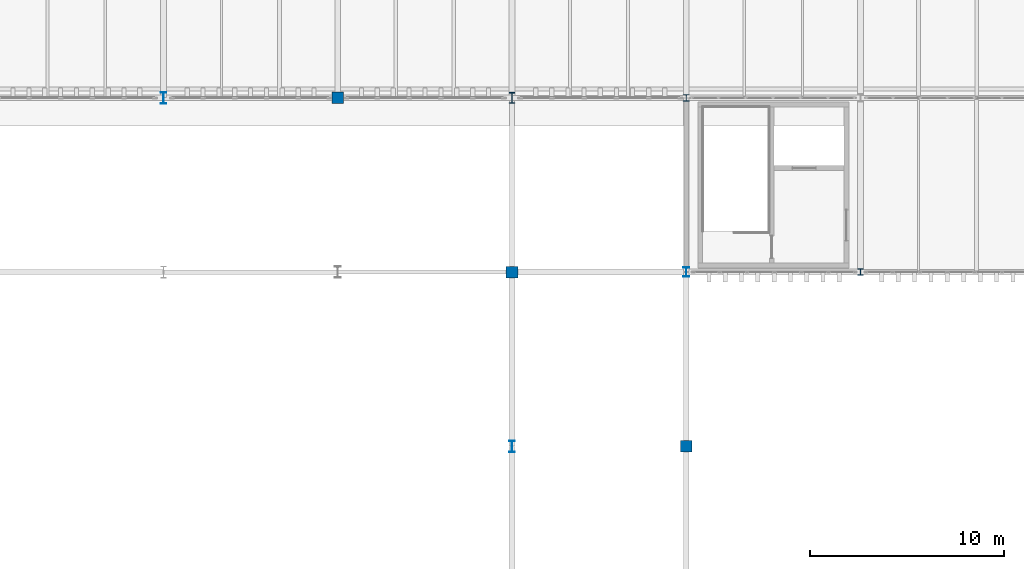
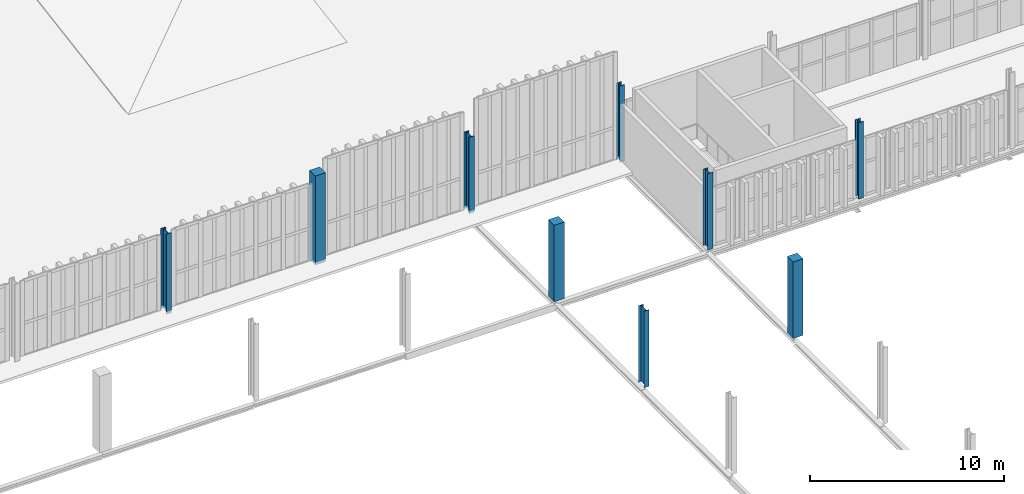
# One storey, part 4 of 196: 9 columns.
"""IFC4 building model written with IfcOpenShell, lengths in metres."""

from ifc_helpers import new_model, si_unit, direction, frame, origin, origin_2d, place, context, subcontext, project, spatial, rectangle, i_section, extrude, material, material_profile, profile_set, type_object, element, save


model = new_model("IFC4")

# Units and contexts
model_context = context("Model", 3, precision=1e-05, world=origin(), true_north=direction((0.0, 1.0)))
body_context = subcontext(model_context, "Body", "Model", "MODEL_VIEW")
ifc_project = project(units=[si_unit("LENGTHUNIT", "METRE"), si_unit("AREAUNIT", "SQUARE_METRE"), si_unit("VOLUMEUNIT", "CUBIC_METRE"), si_unit("PLANEANGLEUNIT", "RADIAN"), si_unit("MASSUNIT", "GRAM", prefix="KILO")], contexts=[model_context])

# Site, building, storey
site_placement = place(None, origin())
site = spatial("IfcSite", under=ifc_project, at=site_placement, CompositionType="ELEMENT")
building_placement = place(site_placement, origin())
building = spatial("IfcBuilding", under=site, at=building_placement, Name="Barlavento Convention Centre", CompositionType="ELEMENT")
storey_placement = place(building_placement, frame((0.0, 0.0, 18.0)))
storey = spatial("IfcBuildingStorey", under=building, at=storey_placement, Name="L03", CompositionType="ELEMENT", Elevation=18.0)

# Columns
ifc_material_1 = material(Name="Steel S355", Category="steel")
ifc_material_profile_1 = material_profile(ifc_material_1, i_section(OverallWidth=0.300048828125, OverallDepth=0.340087890625, WebThickness=0.011962890625, FlangeThickness=0.021484375, FilletRadius=0.027099609375, at=origin_2d()), Name="HEB 340")
ifc_profile_set_1 = profile_set([ifc_material_profile_1], Name="Steel S355")
column_type_1 = type_object("IfcColumnType", Name="STR-COL-HEB340", PredefinedType="COLUMN", material=ifc_profile_set_1)
for number, where, z_axis, x_axis, name in (
    (1, (63.0, 54.0, 0.0), (0.0, 0.0, 1.0), (1.0, 0.0, 0.0), "L03 column SC12"),
    (2, (72.0, 45.0, 0.0), (0.0, 0.0, 1.0), (1.0, 0.0, 0.0), "L03 column SC12"),
):
    element("IfcColumn", number, at=place(storey_placement, frame(where, z_axis=z_axis, x_axis=x_axis)), inside=storey, type_object=column_type_1, Name=name, PredefinedType="COLUMN", context=body_context, shape_type="SweptSolid", body=[
        extrude(i_section(OverallWidth=0.300048828125, OverallDepth=0.340087890625, WebThickness=0.011962890625, FlangeThickness=0.021484375, FilletRadius=0.027099609375, at=origin_2d()), origin(), (0.0, 0.0, 1.0), 4.800048828125),
    ])
ifc_material_profile_2 = material_profile(ifc_material_1, i_section(OverallWidth=0.300048828125, OverallDepth=0.5, WebThickness=0.014404296875, FlangeThickness=0.028076171875, FilletRadius=0.027099609375, at=origin_2d()), Name="HEB 500")
ifc_profile_set_2 = profile_set([ifc_material_profile_2], Name="Steel S355")
column_type_2 = type_object("IfcColumnType", Name="STR-COL-HEB500", PredefinedType="COLUMN", material=ifc_profile_set_2)
column_1_placement = place(storey_placement, frame((63.0, 45.0, 0.0), z_axis=(0.0, 0.0, 1.0), x_axis=(1.0, 0.0, 0.0)))
element("IfcColumn", 3, at=column_1_placement, inside=storey, type_object=column_type_2, Name="L03 column SC09", PredefinedType="COLUMN", context=body_context, shape_type="SweptSolid", body=[
    extrude(i_section(OverallWidth=0.300048828125, OverallDepth=0.5, WebThickness=0.014404296875, FlangeThickness=0.028076171875, FilletRadius=0.027099609375, at=origin_2d()), origin(), (0.0, 0.0, 1.0), 4.800048828125),
])
ifc_material_profile_3 = material_profile(ifc_material_1, i_section(OverallWidth=0.300048828125, OverallDepth=0.60009765625, WebThickness=0.015380859375, FlangeThickness=0.030029296875, FilletRadius=0.027099609375, at=origin_2d()), Name="HEB 600")
ifc_profile_set_3 = profile_set([ifc_material_profile_3], Name="Steel S355")
column_type_3 = type_object("IfcColumnType", Name="STR-COL-HEB600", PredefinedType="COLUMN", material=ifc_profile_set_3)
column_2_placement = place(storey_placement, frame((36.0, 54.0, 0.0), z_axis=(0.0, 0.0, 1.0), x_axis=(1.0, 0.0, 0.0)))
element("IfcColumn", 4, at=column_2_placement, inside=storey, type_object=column_type_3, Name="L03 Congress hall column SC08", PredefinedType="COLUMN", context=body_context, shape_type="SweptSolid", body=[
    extrude(i_section(OverallWidth=0.300048828125, OverallDepth=0.60009765625, WebThickness=0.015380859375, FlangeThickness=0.030029296875, FilletRadius=0.027099609375, at=origin_2d()), origin(), (0.0, 0.0, 1.0), 5.0390625),
])
column_3_placement = place(storey_placement, frame((54.0, 36.0, 0.0), z_axis=(0.0, 0.0, 1.0), x_axis=(1.0, 0.0, 0.0)))
element("IfcColumn", 5, at=column_3_placement, inside=storey, type_object=column_type_3, Name="L03 Congress hall column SC08", PredefinedType="COLUMN", context=body_context, shape_type="SweptSolid", body=[
    extrude(i_section(OverallWidth=0.300048828125, OverallDepth=0.60009765625, WebThickness=0.015380859375, FlangeThickness=0.030029296875, FilletRadius=0.027099609375, at=origin_2d()), origin(), (0.0, 0.0, 1.0), 4.800048828125),
])
ifc_material_profile_4 = material_profile(ifc_material_1, i_section(OverallWidth=0.305908203125, OverallDepth=0.572021484375, WebThickness=0.02099609375, FlangeThickness=0.0400390625, FilletRadius=0.027099609375, at=origin_2d()), Name="HEM 550")
ifc_profile_set_4 = profile_set([ifc_material_profile_4], Name="Steel S355")
column_type_4 = type_object("IfcColumnType", Name="STR-COL-HEM550", PredefinedType="COLUMN", material=ifc_profile_set_4)
column_4_placement = place(storey_placement, frame((54.0, 54.0, 0.0), z_axis=(0.0, 0.0, 1.0), x_axis=(1.0, 0.0, 0.0)))
element("IfcColumn", 6, at=column_4_placement, inside=storey, type_object=column_type_4, Name="L03 Congress hall column SC06", PredefinedType="COLUMN", context=body_context, shape_type="SweptSolid", body=[
    extrude(i_section(OverallWidth=0.305908203125, OverallDepth=0.572021484375, WebThickness=0.02099609375, FlangeThickness=0.0400390625, FilletRadius=0.027099609375, at=origin_2d()), origin(), (0.0, 0.0, 1.0), 4.800048828125),
])
ifc_material_2 = material(Name="Concrete C40/50", Category="concrete")
ifc_material_profile_5 = material_profile(ifc_material_2, rectangle(XDim=0.60009765625, YDim=0.60009765625, at=origin_2d()), Name="RC 600x600")
ifc_profile_set_5 = profile_set([ifc_material_profile_5], Name="Concrete C40/50")
column_type_5 = type_object("IfcColumnType", Name="STR-COL-RC600", PredefinedType="COLUMN", material=ifc_profile_set_5)
column_5_placement = place(storey_placement, frame((45.0, 54.0, 0.0), z_axis=(0.0, 0.0, 1.0), x_axis=(1.0, 0.0, 0.0)))
element("IfcColumn", 7, at=column_5_placement, inside=storey, type_object=column_type_5, Name="L03 Congress hall column CC07", PredefinedType="COLUMN", context=body_context, shape_type="SweptSolid", body=[
    extrude(rectangle(XDim=0.60009765625, YDim=0.60009765625, at=origin_2d()), origin(), (0.0, 0.0, 1.0), 5.582763671875),
])
for number, where, z_axis, x_axis, name in (
    (8, (54.0, 45.0, 0.0), (0.0, 0.0, 1.0), (1.0, 0.0, 0.0), "L03 Congress hall column CC07"),
    (9, (63.0, 36.0, 0.0), (0.0, 0.0, 1.0), (1.0, 0.0, 0.0), "L03 Congress hall column CC07"),
):
    element("IfcColumn", number, at=place(storey_placement, frame(where, z_axis=z_axis, x_axis=x_axis)), inside=storey, type_object=column_type_5, Name=name, PredefinedType="COLUMN", context=body_context, shape_type="SweptSolid", body=[
        extrude(rectangle(XDim=0.60009765625, YDim=0.60009765625, at=origin_2d()), origin(), (0.0, 0.0, 1.0), 4.800048828125),
    ])

save(model, "model.ifc")
